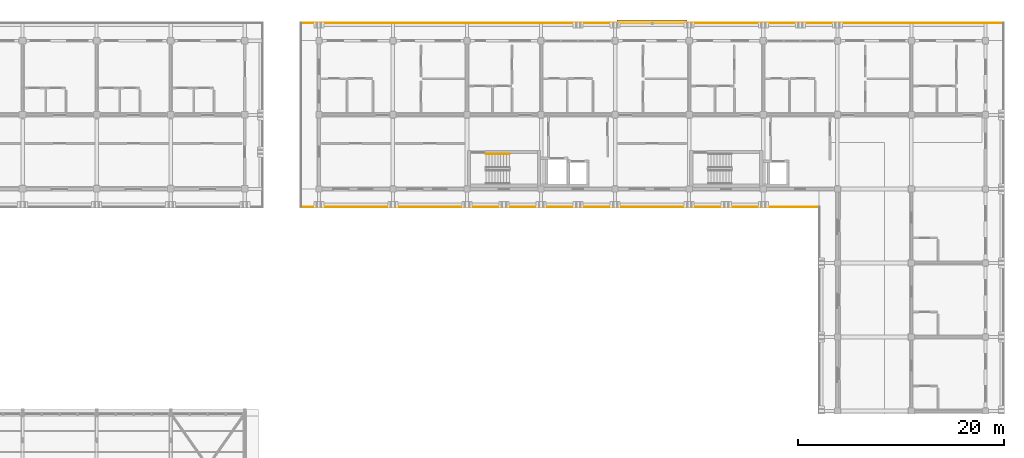
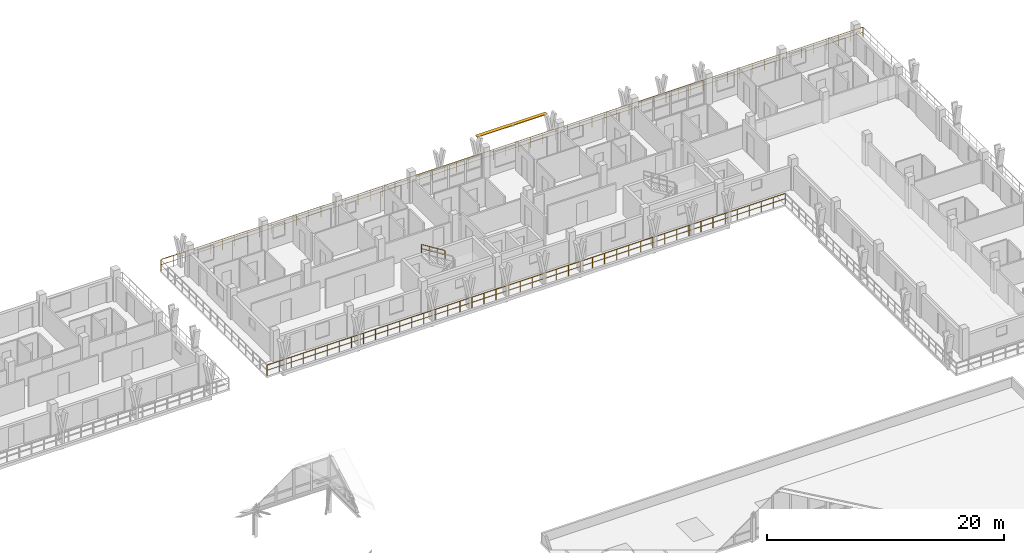
# One storey, part 156 of 157: 3 railings, 1 shading device.
"""IFC4 building model written with IfcOpenShell, lengths in metres."""

from ifc_helpers import new_model, si_unit, direction, frame, origin, origin_2d, place, context, subcontext, project, spatial, rectangle, extrude, material, type_object, element, save


model = new_model("IFC4")

# Units and contexts
model_context = context("Model", 3, precision=1e-05, world=origin(), true_north=direction((0.0, 1.0)))
body_context = subcontext(model_context, "Body", "Model", "MODEL_VIEW")
ifc_project = project(units=[si_unit("LENGTHUNIT", "METRE"), si_unit("AREAUNIT", "SQUARE_METRE"), si_unit("VOLUMEUNIT", "CUBIC_METRE"), si_unit("PLANEANGLEUNIT", "RADIAN"), si_unit("MASSUNIT", "GRAM", prefix="KILO")], contexts=[model_context])

# Site, building, storey
site_placement = place(None, origin())
site = spatial("IfcSite", under=ifc_project, at=site_placement, CompositionType="ELEMENT")
building_placement = place(site_placement, origin())
building = spatial("IfcBuilding", under=site, at=building_placement, Name="Suanplinth Sawtooth Commons", CompositionType="ELEMENT")
storey_placement = place(building_placement, frame((0.0, 0.0, 9.0)))
storey = spatial("IfcBuildingStorey", under=building, at=storey_placement, Name="L02", CompositionType="ELEMENT", Elevation=9.0)

# Railings
ifc_material_1 = material(Name="Powder-coated galvanized steel", Category="steel")
railing_type_1 = type_object("IfcRailingType", Name="GR-01", PredefinedType="BALUSTRADE", material=ifc_material_1)
railing_1_placement = place(storey_placement, frame((171.06005859375, 106.260009765625, 0.0)))
element("IfcRailing", 1, at=railing_1_placement, inside=storey, type_object=railing_type_1, Name="L02 Block B Perimeter Balustrade 2", PredefinedType="BALUSTRADE", context=body_context, shape_type="SweptSolid", body=[
    extrude(rectangle(XDim=0.048095703125, YDim=0.048095703125, at=origin_2d()), frame((0.0, 0.0, 1.09619140625), z_axis=(-1.0, 0.0, 0.0), x_axis=(0.0, -1.0, 0.0)), (0.0, 0.0, 1.0), 50.400146484375),
    extrude(rectangle(XDim=0.03369140625, YDim=0.03369140625, at=origin_2d()), frame((0.0, 0.0, 0.56005859375), z_axis=(-1.0, 0.0, 0.0), x_axis=(0.0, -1.0, 0.0)), (0.0, 0.0, 1.0), 50.400146484375),
    extrude(rectangle(XDim=0.0419921875, YDim=0.0419921875, at=origin_2d()), origin(), (0.0, 0.0, 1.0), 1.072021484375),
    extrude(rectangle(XDim=0.0419921875, YDim=0.0419921875, at=origin_2d()), frame((-1.172119140625, 0.0, 0.0)), (0.0, 0.0, 1.0), 1.072021484375),
    extrude(rectangle(XDim=0.0419921875, YDim=0.0419921875, at=origin_2d()), frame((-2.34423828125, 0.0, 0.0)), (0.0, 0.0, 1.0), 1.072021484375),
    extrude(rectangle(XDim=0.0419921875, YDim=0.0419921875, at=origin_2d()), frame((-3.516357421875, 0.0, 0.0)), (0.0, 0.0, 1.0), 1.072021484375),
    extrude(rectangle(XDim=0.0419921875, YDim=0.0419921875, at=origin_2d()), frame((-4.6884765625, 0.0, 0.0)), (0.0, 0.0, 1.0), 1.072021484375),
    extrude(rectangle(XDim=0.0419921875, YDim=0.0419921875, at=origin_2d()), frame((-5.860595703125, 0.0, 0.0)), (0.0, 0.0, 1.0), 1.072021484375),
    extrude(rectangle(XDim=0.0419921875, YDim=0.0419921875, at=origin_2d()), frame((-7.032470703125, 0.0, 0.0)), (0.0, 0.0, 1.0), 1.072021484375),
    extrude(rectangle(XDim=0.0419921875, YDim=0.0419921875, at=origin_2d()), frame((-8.20458984375, 0.0, 0.0)), (0.0, 0.0, 1.0), 1.072021484375),
    extrude(rectangle(XDim=0.0419921875, YDim=0.0419921875, at=origin_2d()), frame((-9.376708984375, 0.0, 0.0)), (0.0, 0.0, 1.0), 1.072021484375),
    extrude(rectangle(XDim=0.0419921875, YDim=0.0419921875, at=origin_2d()), frame((-10.548828125, 0.0, 0.0)), (0.0, 0.0, 1.0), 1.072021484375),
    extrude(rectangle(XDim=0.0419921875, YDim=0.0419921875, at=origin_2d()), frame((-11.720947265625, 0.0, 0.0)), (0.0, 0.0, 1.0), 1.072021484375),
    extrude(rectangle(XDim=0.0419921875, YDim=0.0419921875, at=origin_2d()), frame((-12.89306640625, 0.0, 0.0)), (0.0, 0.0, 1.0), 1.072021484375),
    extrude(rectangle(XDim=0.0419921875, YDim=0.0419921875, at=origin_2d()), frame((-14.065185546875, 0.0, 0.0)), (0.0, 0.0, 1.0), 1.072021484375),
    extrude(rectangle(XDim=0.0419921875, YDim=0.0419921875, at=origin_2d()), frame((-15.2373046875, 0.0, 0.0)), (0.0, 0.0, 1.0), 1.072021484375),
    extrude(rectangle(XDim=0.0419921875, YDim=0.0419921875, at=origin_2d()), frame((-16.409423828125, 0.0, 0.0)), (0.0, 0.0, 1.0), 1.072021484375),
    extrude(rectangle(XDim=0.0419921875, YDim=0.0419921875, at=origin_2d()), frame((-17.58154296875, 0.0, 0.0)), (0.0, 0.0, 1.0), 1.072021484375),
    extrude(rectangle(XDim=0.0419921875, YDim=0.0419921875, at=origin_2d()), frame((-18.753662109375, 0.0, 0.0)), (0.0, 0.0, 1.0), 1.072021484375),
    extrude(rectangle(XDim=0.0419921875, YDim=0.0419921875, at=origin_2d()), frame((-19.925537109375, 0.0, 0.0)), (0.0, 0.0, 1.0), 1.072021484375),
    extrude(rectangle(XDim=0.0419921875, YDim=0.0419921875, at=origin_2d()), frame((-21.09765625, 0.0, 0.0)), (0.0, 0.0, 1.0), 1.072021484375),
    extrude(rectangle(XDim=0.0419921875, YDim=0.0419921875, at=origin_2d()), frame((-22.269775390625, 0.0, 0.0)), (0.0, 0.0, 1.0), 1.072021484375),
    extrude(rectangle(XDim=0.0419921875, YDim=0.0419921875, at=origin_2d()), frame((-23.44189453125, 0.0, 0.0)), (0.0, 0.0, 1.0), 1.072021484375),
    extrude(rectangle(XDim=0.0419921875, YDim=0.0419921875, at=origin_2d()), frame((-24.614013671875, 0.0, 0.0)), (0.0, 0.0, 1.0), 1.072021484375),
    extrude(rectangle(XDim=0.0419921875, YDim=0.0419921875, at=origin_2d()), frame((-25.7861328125, 0.0, 0.0)), (0.0, 0.0, 1.0), 1.072021484375),
    extrude(rectangle(XDim=0.0419921875, YDim=0.0419921875, at=origin_2d()), frame((-26.958251953125, 0.0, 0.0)), (0.0, 0.0, 1.0), 1.072021484375),
    extrude(rectangle(XDim=0.0419921875, YDim=0.0419921875, at=origin_2d()), frame((-28.13037109375, 0.0, 0.0)), (0.0, 0.0, 1.0), 1.072021484375),
    extrude(rectangle(XDim=0.0419921875, YDim=0.0419921875, at=origin_2d()), frame((-29.302490234375, 0.0, 0.0)), (0.0, 0.0, 1.0), 1.072021484375),
    extrude(rectangle(XDim=0.0419921875, YDim=0.0419921875, at=origin_2d()), frame((-30.474609375, 0.0, 0.0)), (0.0, 0.0, 1.0), 1.072021484375),
    extrude(rectangle(XDim=0.0419921875, YDim=0.0419921875, at=origin_2d()), frame((-31.646484375, 0.0, 0.0)), (0.0, 0.0, 1.0), 1.072021484375),
    extrude(rectangle(XDim=0.0419921875, YDim=0.0419921875, at=origin_2d()), frame((-32.818603515625, 0.0, 0.0)), (0.0, 0.0, 1.0), 1.072021484375),
    extrude(rectangle(XDim=0.0419921875, YDim=0.0419921875, at=origin_2d()), frame((-33.99072265625, 0.0, 0.0)), (0.0, 0.0, 1.0), 1.072021484375),
    extrude(rectangle(XDim=0.0419921875, YDim=0.0419921875, at=origin_2d()), frame((-35.162841796875, 0.0, 0.0)), (0.0, 0.0, 1.0), 1.072021484375),
    extrude(rectangle(XDim=0.0419921875, YDim=0.0419921875, at=origin_2d()), frame((-36.3349609375, 0.0, 0.0)), (0.0, 0.0, 1.0), 1.072021484375),
    extrude(rectangle(XDim=0.0419921875, YDim=0.0419921875, at=origin_2d()), frame((-37.507080078125, 0.0, 0.0)), (0.0, 0.0, 1.0), 1.072021484375),
    extrude(rectangle(XDim=0.0419921875, YDim=0.0419921875, at=origin_2d()), frame((-38.67919921875, 0.0, 0.0)), (0.0, 0.0, 1.0), 1.072021484375),
    extrude(rectangle(XDim=0.0419921875, YDim=0.0419921875, at=origin_2d()), frame((-39.851318359375, 0.0, 0.0)), (0.0, 0.0, 1.0), 1.072021484375),
    extrude(rectangle(XDim=0.0419921875, YDim=0.0419921875, at=origin_2d()), frame((-41.0234375, 0.0, 0.0)), (0.0, 0.0, 1.0), 1.072021484375),
    extrude(rectangle(XDim=0.0419921875, YDim=0.0419921875, at=origin_2d()), frame((-42.195556640625, 0.0, 0.0)), (0.0, 0.0, 1.0), 1.072021484375),
    extrude(rectangle(XDim=0.0419921875, YDim=0.0419921875, at=origin_2d()), frame((-43.36767578125, 0.0, 0.0)), (0.0, 0.0, 1.0), 1.072021484375),
    extrude(rectangle(XDim=0.0419921875, YDim=0.0419921875, at=origin_2d()), frame((-44.53955078125, 0.0, 0.0)), (0.0, 0.0, 1.0), 1.072021484375),
    extrude(rectangle(XDim=0.0419921875, YDim=0.0419921875, at=origin_2d()), frame((-45.711669921875, 0.0, 0.0)), (0.0, 0.0, 1.0), 1.072021484375),
    extrude(rectangle(XDim=0.0419921875, YDim=0.0419921875, at=origin_2d()), frame((-46.8837890625, 0.0, 0.0)), (0.0, 0.0, 1.0), 1.072021484375),
    extrude(rectangle(XDim=0.0419921875, YDim=0.0419921875, at=origin_2d()), frame((-48.055908203125, 0.0, 0.0)), (0.0, 0.0, 1.0), 1.072021484375),
    extrude(rectangle(XDim=0.0419921875, YDim=0.0419921875, at=origin_2d()), frame((-49.22802734375, 0.0, 0.0)), (0.0, 0.0, 1.0), 1.072021484375),
    extrude(rectangle(XDim=0.0419921875, YDim=0.0419921875, at=origin_2d()), frame((-50.400146484375, 0.0, 0.0)), (0.0, 0.0, 1.0), 1.072021484375),
])
railing_2_placement = place(storey_placement, frame((120.659912109375, 124.139892578125, 0.0)))
element("IfcRailing", 2, at=railing_2_placement, inside=storey, type_object=railing_type_1, Name="L02 Block B Perimeter Balustrade 4", PredefinedType="BALUSTRADE", context=body_context, shape_type="SweptSolid", body=[
    extrude(rectangle(XDim=0.048095703125, YDim=0.048095703125, at=origin_2d()), frame((0.0, 0.0, 1.09619140625), z_axis=(1.0, 0.0, 0.0), x_axis=(0.0, 1.0, 0.0)), (0.0, 0.0, 1.0), 68.280029296875),
    extrude(rectangle(XDim=0.03369140625, YDim=0.03369140625, at=origin_2d()), frame((0.0, 0.0, 0.56005859375), z_axis=(1.0, 0.0, 0.0), x_axis=(0.0, 1.0, 0.0)), (0.0, 0.0, 1.0), 68.280029296875),
    extrude(rectangle(XDim=0.0419921875, YDim=0.0419921875, at=origin_2d()), origin(), (0.0, 0.0, 1.0), 1.072021484375),
    extrude(rectangle(XDim=0.0419921875, YDim=0.0419921875, at=origin_2d()), frame((1.197998046875, 0.0, 0.0)), (0.0, 0.0, 1.0), 1.072021484375),
    extrude(rectangle(XDim=0.0419921875, YDim=0.0419921875, at=origin_2d()), frame((2.395751953125, 0.0, 0.0)), (0.0, 0.0, 1.0), 1.072021484375),
    extrude(rectangle(XDim=0.0419921875, YDim=0.0419921875, at=origin_2d()), frame((3.59375, 0.0, 0.0)), (0.0, 0.0, 1.0), 1.072021484375),
    extrude(rectangle(XDim=0.0419921875, YDim=0.0419921875, at=origin_2d()), frame((4.79150390625, 0.0, 0.0)), (0.0, 0.0, 1.0), 1.072021484375),
    extrude(rectangle(XDim=0.0419921875, YDim=0.0419921875, at=origin_2d()), frame((5.989501953125, 0.0, 0.0)), (0.0, 0.0, 1.0), 1.072021484375),
    extrude(rectangle(XDim=0.0419921875, YDim=0.0419921875, at=origin_2d()), frame((7.187255859375, 0.0, 0.0)), (0.0, 0.0, 1.0), 1.072021484375),
    extrude(rectangle(XDim=0.0419921875, YDim=0.0419921875, at=origin_2d()), frame((8.38525390625, 0.0, 0.0)), (0.0, 0.0, 1.0), 1.072021484375),
    extrude(rectangle(XDim=0.0419921875, YDim=0.0419921875, at=origin_2d()), frame((9.583251953125, 0.0, 0.0)), (0.0, 0.0, 1.0), 1.072021484375),
    extrude(rectangle(XDim=0.0419921875, YDim=0.0419921875, at=origin_2d()), frame((10.781005859375, 0.0, 0.0)), (0.0, 0.0, 1.0), 1.072021484375),
    extrude(rectangle(XDim=0.0419921875, YDim=0.0419921875, at=origin_2d()), frame((11.97900390625, 0.0, 0.0)), (0.0, 0.0, 1.0), 1.072021484375),
    extrude(rectangle(XDim=0.0419921875, YDim=0.0419921875, at=origin_2d()), frame((13.1767578125, 0.0, 0.0)), (0.0, 0.0, 1.0), 1.072021484375),
    extrude(rectangle(XDim=0.0419921875, YDim=0.0419921875, at=origin_2d()), frame((14.374755859375, 0.0, 0.0)), (0.0, 0.0, 1.0), 1.072021484375),
    extrude(rectangle(XDim=0.0419921875, YDim=0.0419921875, at=origin_2d()), frame((15.57275390625, 0.0, 0.0)), (0.0, 0.0, 1.0), 1.072021484375),
    extrude(rectangle(XDim=0.0419921875, YDim=0.0419921875, at=origin_2d()), frame((16.7705078125, 0.0, 0.0)), (0.0, 0.0, 1.0), 1.072021484375),
    extrude(rectangle(XDim=0.0419921875, YDim=0.0419921875, at=origin_2d()), frame((17.968505859375, 0.0, 0.0)), (0.0, 0.0, 1.0), 1.072021484375),
    extrude(rectangle(XDim=0.0419921875, YDim=0.0419921875, at=origin_2d()), frame((19.166259765625, 0.0, 0.0)), (0.0, 0.0, 1.0), 1.072021484375),
    extrude(rectangle(XDim=0.0419921875, YDim=0.0419921875, at=origin_2d()), frame((20.3642578125, 0.0, 0.0)), (0.0, 0.0, 1.0), 1.072021484375),
    extrude(rectangle(XDim=0.0419921875, YDim=0.0419921875, at=origin_2d()), frame((21.56201171875, 0.0, 0.0)), (0.0, 0.0, 1.0), 1.072021484375),
    extrude(rectangle(XDim=0.0419921875, YDim=0.0419921875, at=origin_2d()), frame((22.760009765625, 0.0, 0.0)), (0.0, 0.0, 1.0), 1.072021484375),
    extrude(rectangle(XDim=0.0419921875, YDim=0.0419921875, at=origin_2d()), frame((23.9580078125, 0.0, 0.0)), (0.0, 0.0, 1.0), 1.072021484375),
    extrude(rectangle(XDim=0.0419921875, YDim=0.0419921875, at=origin_2d()), frame((25.15576171875, 0.0, 0.0)), (0.0, 0.0, 1.0), 1.072021484375),
    extrude(rectangle(XDim=0.0419921875, YDim=0.0419921875, at=origin_2d()), frame((26.353759765625, 0.0, 0.0)), (0.0, 0.0, 1.0), 1.072021484375),
    extrude(rectangle(XDim=0.0419921875, YDim=0.0419921875, at=origin_2d()), frame((27.551513671875, 0.0, 0.0)), (0.0, 0.0, 1.0), 1.072021484375),
    extrude(rectangle(XDim=0.0419921875, YDim=0.0419921875, at=origin_2d()), frame((28.74951171875, 0.0, 0.0)), (0.0, 0.0, 1.0), 1.072021484375),
    extrude(rectangle(XDim=0.0419921875, YDim=0.0419921875, at=origin_2d()), frame((29.947265625, 0.0, 0.0)), (0.0, 0.0, 1.0), 1.072021484375),
    extrude(rectangle(XDim=0.0419921875, YDim=0.0419921875, at=origin_2d()), frame((31.145263671875, 0.0, 0.0)), (0.0, 0.0, 1.0), 1.072021484375),
    extrude(rectangle(XDim=0.0419921875, YDim=0.0419921875, at=origin_2d()), frame((32.34326171875, 0.0, 0.0)), (0.0, 0.0, 1.0), 1.072021484375),
    extrude(rectangle(XDim=0.0419921875, YDim=0.0419921875, at=origin_2d()), frame((33.541015625, 0.0, 0.0)), (0.0, 0.0, 1.0), 1.072021484375),
    extrude(rectangle(XDim=0.0419921875, YDim=0.0419921875, at=origin_2d()), frame((34.739013671875, 0.0, 0.0)), (0.0, 0.0, 1.0), 1.072021484375),
    extrude(rectangle(XDim=0.0419921875, YDim=0.0419921875, at=origin_2d()), frame((35.936767578125, 0.0, 0.0)), (0.0, 0.0, 1.0), 1.072021484375),
    extrude(rectangle(XDim=0.0419921875, YDim=0.0419921875, at=origin_2d()), frame((37.134765625, 0.0, 0.0)), (0.0, 0.0, 1.0), 1.072021484375),
    extrude(rectangle(XDim=0.0419921875, YDim=0.0419921875, at=origin_2d()), frame((38.332763671875, 0.0, 0.0)), (0.0, 0.0, 1.0), 1.072021484375),
    extrude(rectangle(XDim=0.0419921875, YDim=0.0419921875, at=origin_2d()), frame((39.530517578125, 0.0, 0.0)), (0.0, 0.0, 1.0), 1.072021484375),
    extrude(rectangle(XDim=0.0419921875, YDim=0.0419921875, at=origin_2d()), frame((40.728515625, 0.0, 0.0)), (0.0, 0.0, 1.0), 1.072021484375),
    extrude(rectangle(XDim=0.0419921875, YDim=0.0419921875, at=origin_2d()), frame((41.92626953125, 0.0, 0.0)), (0.0, 0.0, 1.0), 1.072021484375),
    extrude(rectangle(XDim=0.0419921875, YDim=0.0419921875, at=origin_2d()), frame((43.124267578125, 0.0, 0.0)), (0.0, 0.0, 1.0), 1.072021484375),
    extrude(rectangle(XDim=0.0419921875, YDim=0.0419921875, at=origin_2d()), frame((44.322021484375, 0.0, 0.0)), (0.0, 0.0, 1.0), 1.072021484375),
    extrude(rectangle(XDim=0.0419921875, YDim=0.0419921875, at=origin_2d()), frame((45.52001953125, 0.0, 0.0)), (0.0, 0.0, 1.0), 1.072021484375),
    extrude(rectangle(XDim=0.0419921875, YDim=0.0419921875, at=origin_2d()), frame((46.718017578125, 0.0, 0.0)), (0.0, 0.0, 1.0), 1.072021484375),
    extrude(rectangle(XDim=0.0419921875, YDim=0.0419921875, at=origin_2d()), frame((47.915771484375, 0.0, 0.0)), (0.0, 0.0, 1.0), 1.072021484375),
    extrude(rectangle(XDim=0.0419921875, YDim=0.0419921875, at=origin_2d()), frame((49.11376953125, 0.0, 0.0)), (0.0, 0.0, 1.0), 1.072021484375),
    extrude(rectangle(XDim=0.0419921875, YDim=0.0419921875, at=origin_2d()), frame((50.3115234375, 0.0, 0.0)), (0.0, 0.0, 1.0), 1.072021484375),
    extrude(rectangle(XDim=0.0419921875, YDim=0.0419921875, at=origin_2d()), frame((51.509521484375, 0.0, 0.0)), (0.0, 0.0, 1.0), 1.072021484375),
    extrude(rectangle(XDim=0.0419921875, YDim=0.0419921875, at=origin_2d()), frame((52.707275390625, 0.0, 0.0)), (0.0, 0.0, 1.0), 1.072021484375),
    extrude(rectangle(XDim=0.0419921875, YDim=0.0419921875, at=origin_2d()), frame((53.9052734375, 0.0, 0.0)), (0.0, 0.0, 1.0), 1.072021484375),
    extrude(rectangle(XDim=0.0419921875, YDim=0.0419921875, at=origin_2d()), frame((55.103271484375, 0.0, 0.0)), (0.0, 0.0, 1.0), 1.072021484375),
    extrude(rectangle(XDim=0.0419921875, YDim=0.0419921875, at=origin_2d()), frame((56.301025390625, 0.0, 0.0)), (0.0, 0.0, 1.0), 1.072021484375),
    extrude(rectangle(XDim=0.0419921875, YDim=0.0419921875, at=origin_2d()), frame((57.4990234375, 0.0, 0.0)), (0.0, 0.0, 1.0), 1.072021484375),
    extrude(rectangle(XDim=0.0419921875, YDim=0.0419921875, at=origin_2d()), frame((58.69677734375, 0.0, 0.0)), (0.0, 0.0, 1.0), 1.072021484375),
    extrude(rectangle(XDim=0.0419921875, YDim=0.0419921875, at=origin_2d()), frame((59.894775390625, 0.0, 0.0)), (0.0, 0.0, 1.0), 1.072021484375),
    extrude(rectangle(XDim=0.0419921875, YDim=0.0419921875, at=origin_2d()), frame((61.0927734375, 0.0, 0.0)), (0.0, 0.0, 1.0), 1.072021484375),
    extrude(rectangle(XDim=0.0419921875, YDim=0.0419921875, at=origin_2d()), frame((62.29052734375, 0.0, 0.0)), (0.0, 0.0, 1.0), 1.072021484375),
    extrude(rectangle(XDim=0.0419921875, YDim=0.0419921875, at=origin_2d()), frame((63.488525390625, 0.0, 0.0)), (0.0, 0.0, 1.0), 1.072021484375),
    extrude(rectangle(XDim=0.0419921875, YDim=0.0419921875, at=origin_2d()), frame((64.686279296875, 0.0, 0.0)), (0.0, 0.0, 1.0), 1.072021484375),
    extrude(rectangle(XDim=0.0419921875, YDim=0.0419921875, at=origin_2d()), frame((65.88427734375, 0.0, 0.0)), (0.0, 0.0, 1.0), 1.072021484375),
    extrude(rectangle(XDim=0.0419921875, YDim=0.0419921875, at=origin_2d()), frame((67.08203125, 0.0, 0.0)), (0.0, 0.0, 1.0), 1.072021484375),
    extrude(rectangle(XDim=0.0419921875, YDim=0.0419921875, at=origin_2d()), frame((68.280029296875, 0.0, 0.0)), (0.0, 0.0, 1.0), 1.072021484375),
])
ifc_material_2 = material(Name="Stainless steel Grade 304", Category="steel")
railing_type_2 = type_object("IfcRailingType", Name="HR-01", PredefinedType="HANDRAIL", material=ifc_material_2)
railing_3_placement = place(storey_placement, frame((140.929931640625, 111.39990234375, 1.77783203125)))
element("IfcRailing", 3, at=railing_3_placement, inside=storey, type_object=railing_type_2, Name="L02 ST-E1 Handrail 2", PredefinedType="HANDRAIL", context=body_context, shape_type="SweptSolid", body=[
    extrude(rectangle(XDim=0.048095703125, YDim=0.048095703125, at=origin_2d()), frame((0.0, 0.0, 0.8759765625), z_axis=(-0.848482842525, 0.0, 0.529222888715), x_axis=(0.0, -1.0, 0.0)), (0.0, 0.0, 1.0), 2.687255859375),
    extrude(rectangle(XDim=0.03369140625, YDim=0.03369140625, at=origin_2d()), frame((0.0, 0.0, 0.449951171875), z_axis=(-0.848482842525, 0.0, 0.529222888715), x_axis=(0.0, -1.0, 0.0)), (0.0, 0.0, 1.0), 2.687255859375),
    extrude(rectangle(XDim=0.0419921875, YDim=0.0419921875, at=origin_2d()), origin(), (0.0, 0.0, 1.0), 0.851806640625),
    extrude(rectangle(XDim=0.0419921875, YDim=0.0419921875, at=origin_2d()), frame((-0.760009765625, 0.0, 0.47412109375)), (0.0, 0.0, 1.0), 0.851806640625),
    extrude(rectangle(XDim=0.0419921875, YDim=0.0419921875, at=origin_2d()), frame((-1.52001953125, 0.0, 0.947998046875)), (0.0, 0.0, 1.0), 0.851806640625),
    extrude(rectangle(XDim=0.0419921875, YDim=0.0419921875, at=origin_2d()), frame((-2.280029296875, 0.0, 1.422119140625)), (0.0, 0.0, 1.0), 0.851806640625),
])

# Shading device
ifc_material_3 = material(Name="Anodized aluminium 6063-T6", Category="aluminium")
shading_device_type = type_object("IfcShadingDeviceType", Name="SHD-01", PredefinedType="JALOUSIE", material=ifc_material_3)
shading_device_placement = place(storey_placement, frame((154.800048828125, 124.239990234375, 2.919921875), z_axis=(0.0, 0.0, 1.0), x_axis=(1.0, 0.0, 0.0)))
element("IfcShadingDevice", 4, at=shading_device_placement, inside=storey, type_object=shading_device_type, Name="Monsoon Louvre L02-B-1", PredefinedType="JALOUSIE", context=body_context, shape_type="SweptSolid", body=[
    extrude(rectangle(XDim=6.800048828125, YDim=0.35009765625, at=origin_2d()), origin(), (0.0, 0.0, 1.0), 0.06005859375),
])

save(model, "model.ifc")
